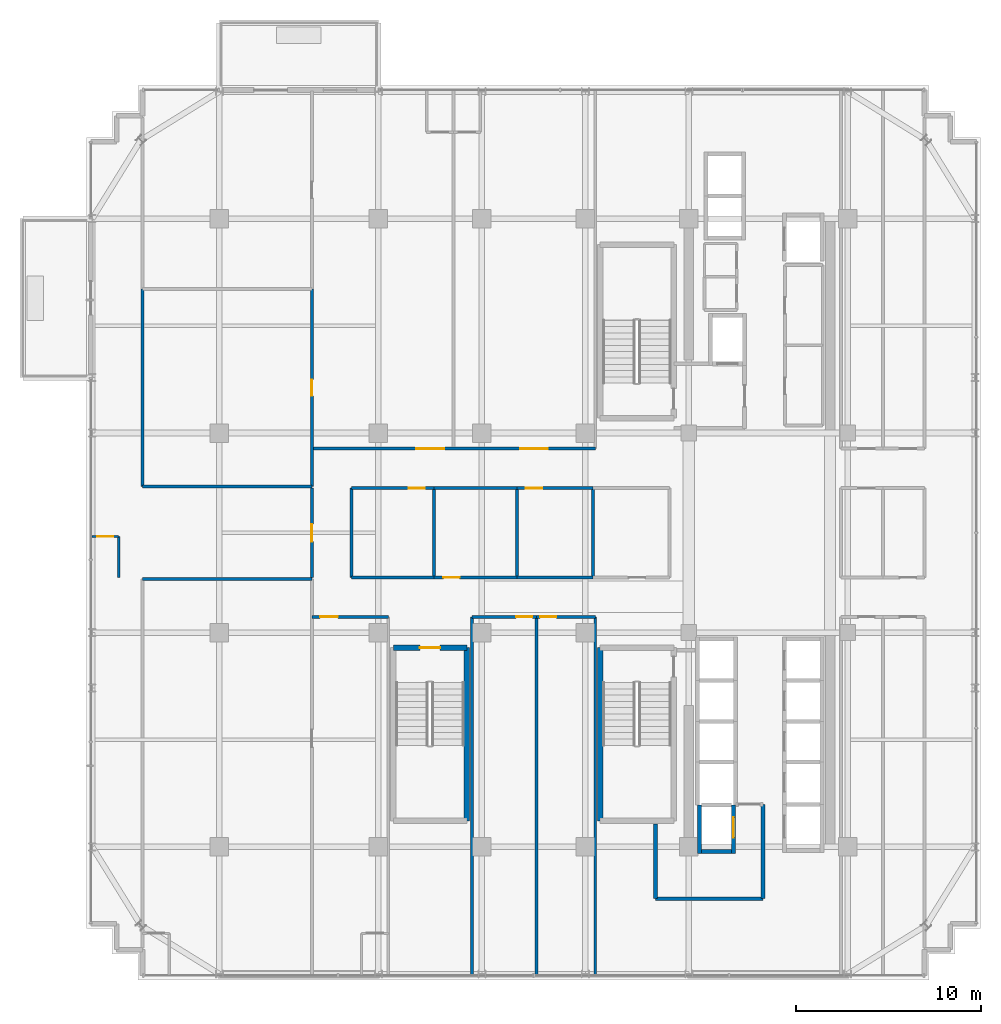
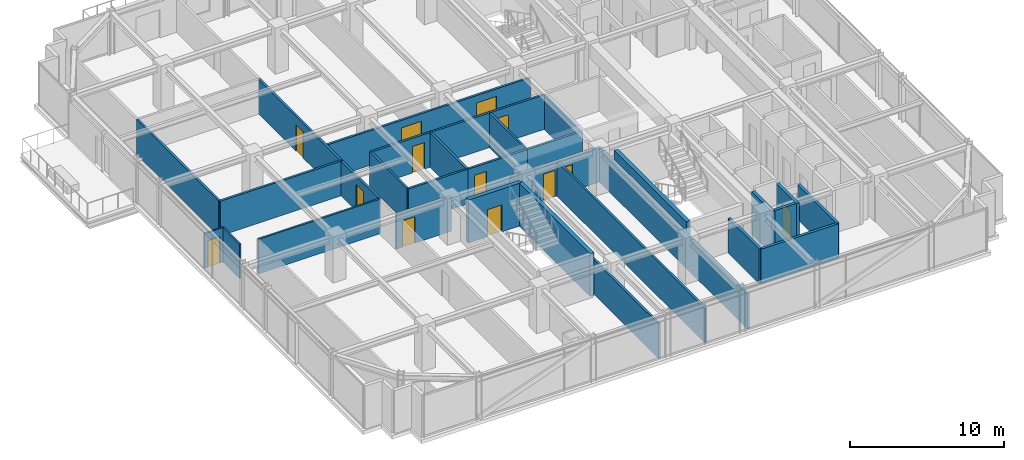
# One storey, part 29 of 36: 33 walls, 13 doors, 13 openings.
"""IFC4 building model written with IfcOpenShell, lengths in metres."""

import ifcopenshell
import ifcopenshell.guid

model = None  # the IFC model being written
_history = None  # IfcOwnerHistory: only IFC2X3 demands one
_inside = {}  # id of a spatial element -> (the spatial element, [elements in it])
_under = {}  # id of a project, library or spatial element -> (it, [spatial elements below it])
_declared = {}  # id of a project -> (the project, [libraries it declares])
_typed = {}  # id of a type object -> (the type object, [elements of that type])
_made_of = {}  # id of a material, layer set ... -> (it, [elements and type objects made of it])


def new_model(schema):
    """Start an empty IFC model of exactly this schema.

    Asked for "IFC4X3", IfcOpenShell would pick the latest addendum, in which some entities
    have other attributes; the version numbers below select the first issue.
    IFC2X3 requires an IfcOwnerHistory on every rooted entity: one is made here for all.
    """
    global model, _history
    if schema == "IFC4X3":
        model = ifcopenshell.file(schema_version=(4, 3, 0, 0))
    else:
        model = ifcopenshell.file(schema=schema)
    _inside.clear()
    _under.clear()
    _declared.clear()
    _typed.clear()
    _made_of.clear()
    _history = None
    if model.schema == "IFC2X3":
        org = make("IfcOrganization", Name="unknown")
        user = make(
            "IfcPersonAndOrganization",
            ThePerson=make("IfcPerson", FamilyName="unknown"),
            TheOrganization=org,
        )
        app = make(
            "IfcApplication",
            ApplicationDeveloper=org,
            Version="unknown",
            ApplicationFullName="unknown",
            ApplicationIdentifier="unknown",
        )
        _history = make(
            "IfcOwnerHistory",
            OwningUser=user,
            OwningApplication=app,
            ChangeAction="ADDED",
            CreationDate=0,
        )
    return model


def make(cls, **values):
    """One entity of the class cls with the attributes given. An attribute that is None is left unset."""
    return model.create_entity(
        cls, **{name: value for name, value in values.items() if value is not None}
    )


def rooted(cls, **values):
    """An entity with a GlobalId (a new one), such as an element, a storey or a relation."""
    return make(cls, GlobalId=ifcopenshell.guid.new(), OwnerHistory=_history, **values)


def si_unit(unit_type, name, prefix=None):
    """IfcSIUnit, for example si_unit("LENGTHUNIT", "METRE", prefix="MILLI")."""
    return make("IfcSIUnit", UnitType=unit_type, Prefix=prefix, Name=name)


def assignment(units):
    """IfcUnitAssignment: the units of a project."""
    return None if units is None else make("IfcUnitAssignment", Units=units)


def point(xyz):
    """IfcCartesianPoint."""
    return None if xyz is None else make("IfcCartesianPoint", Coordinates=xyz)


def direction(xyz):
    """IfcDirection."""
    return None if xyz is None else make("IfcDirection", DirectionRatios=xyz)


def frame(location, z_axis=None, x_axis=None):
    """IfcAxis2Placement3D, a coordinate frame: its origin and axes. An axis left out is left unset."""
    return make(
        "IfcAxis2Placement3D",
        Location=point(location),
        Axis=direction(z_axis),
        RefDirection=direction(x_axis),
    )


def frame_2d(location, x_axis=None):
    """IfcAxis2Placement2D, a coordinate frame in the plane: its origin and x axis."""
    return make(
        "IfcAxis2Placement2D", Location=point(location), RefDirection=direction(x_axis)
    )


def origin():
    """The frame at (0, 0, 0) with its axes left unset."""
    return frame((0.0, 0.0, 0.0))


def place(relative_to, where):
    """IfcLocalPlacement: puts the frame where relative to a parent placement (None: the world)."""
    return make(
        "IfcLocalPlacement", PlacementRelTo=relative_to, RelativePlacement=where
    )


def context(
    kind, dimensions, precision=None, world=None, true_north=None, identifier=None
):
    """IfcGeometricRepresentationContext, for example the 3D "Model" context."""
    return make(
        "IfcGeometricRepresentationContext",
        ContextIdentifier=identifier,
        ContextType=kind,
        CoordinateSpaceDimension=dimensions,
        Precision=precision,
        WorldCoordinateSystem=world,
        TrueNorth=true_north,
    )


def subcontext(parent, identifier, kind, view, scale=None):
    """IfcGeometricRepresentationSubContext, for example "Body" below "Model"."""
    return make(
        "IfcGeometricRepresentationSubContext",
        ContextIdentifier=identifier,
        ContextType=kind,
        ParentContext=parent,
        TargetScale=scale,
        TargetView=view,
    )


def project(units=None, contexts=None):
    """IfcProject with its units and contexts."""
    return rooted(
        "IfcProject",
        Name="project",
        RepresentationContexts=contexts,
        UnitsInContext=assignment(units),
    )


def spatial(cls, under=None, at=None, **own):
    """A site, building, storey or space (cls), placed at a placement, below another one or the project."""
    s = rooted(cls, ObjectPlacement=at, **own)
    if under is not None:
        _under.setdefault(under.id(), (under, []))[1].append(s)
    return s


def profile(cls, at=None, kind="AREA", **sizes):
    """A parametric profile (cls). Its sizes go by their IFC names, for example OverallWidth=200.0."""
    return make(cls, ProfileType=kind, Position=at, **sizes)


def rectangle(**sizes):
    """IfcRectangleProfileDef."""
    return profile("IfcRectangleProfileDef", **sizes)


def extrude(swept, where, along, depth):
    """IfcExtrudedAreaSolid: the profile swept, set in the frame where, extruded along a direction by depth."""
    return make(
        "IfcExtrudedAreaSolid",
        SweptArea=swept,
        Position=where,
        ExtrudedDirection=direction(along),
        Depth=depth,
    )


def shape(context_of_items, identifier, shape_type, items):
    """IfcShapeRepresentation: the items that make up one representation, for example the "Body"."""
    return make(
        "IfcShapeRepresentation",
        ContextOfItems=context_of_items,
        RepresentationIdentifier=identifier,
        RepresentationType=shape_type,
        Items=items,
    )


def source(mapping_origin, context_of_items, identifier, shape_type, items):
    """IfcRepresentationMap: a shape defined once, which mapped items show again and again."""
    return make(
        "IfcRepresentationMap",
        MappingOrigin=mapping_origin,
        MappedRepresentation=shape(context_of_items, identifier, shape_type, items),
    )


def transform(
    local_origin,
    x_axis=None,
    y_axis=None,
    z_axis=None,
    scale=None,
    scale2=None,
    scale3=None,
    uniform=True,
):
    """IfcCartesianTransformationOperator3D, or its non-uniform kind. x_axis, y_axis, z_axis: its Axis1, 2, 3."""
    if uniform:
        return make(
            "IfcCartesianTransformationOperator3D",
            Axis1=direction(x_axis),
            Axis2=direction(y_axis),
            LocalOrigin=point(local_origin),
            Scale=scale,
            Axis3=direction(z_axis),
        )
    return make(
        "IfcCartesianTransformationOperator3DnonUniform",
        Axis1=direction(x_axis),
        Axis2=direction(y_axis),
        LocalOrigin=point(local_origin),
        Scale=scale,
        Axis3=direction(z_axis),
        Scale2=scale2,
        Scale3=scale3,
    )


def mapped(mapping_source, mapping_target):
    """IfcMappedItem: shows the shape of a source again, moved by a transform."""
    return make(
        "IfcMappedItem", MappingSource=mapping_source, MappingTarget=mapping_target
    )


def material(Name=None, Category=None):
    """IfcMaterial."""
    return make("IfcMaterial", Name=Name, Category=Category)


def layer(
    of_material, thickness, ventilated=None, Name=None, Category=None, Priority=None
):
    """IfcMaterialLayer: one layer of a wall or slab, of a material (None: an air gap)."""
    return make(
        "IfcMaterialLayer",
        Material=of_material,
        LayerThickness=thickness,
        IsVentilated=ventilated,
        Name=Name,
        Category=Category,
        Priority=Priority,
    )


def layer_set(layers, Name=None):
    """IfcMaterialLayerSet."""
    return make("IfcMaterialLayerSet", MaterialLayers=layers, LayerSetName=Name)


def made_of(thing, what):
    """Note that an element or type object is made of a material, layer set ...; save() writes the relation."""
    if what is not None:
        _made_of.setdefault(what.id(), (what, []))[1].append(thing)
    return thing


def type_object(cls, material=None, **own):
    """A type object (cls), such as IfcWallType, which elements share."""
    return made_of(rooted(cls, **own), material)


def element(
    cls,
    number,
    at=None,
    inside=None,
    cuts=None,
    type_object=None,
    material=None,
    context=None,
    identifier="Body",
    shape_type=None,
    held_by="IfcProductDefinitionShape",
    body=None,
    shapes=None,
    **own,
):
    """One element of the class cls, such as IfcWall. Its Tag is "e" and its number.

    at: its placement. inside: the storey or other place that contains it. cuts: it is an
    opening in that element (IfcRelVoidsElement). A single representation is given by context,
    identifier, shape_type and body (its items); several are given by shapes. held_by: the class
    of the entity that holds the representations. save() writes the other relations.
    """
    e = rooted(cls, Tag="e%d" % number, ObjectPlacement=at, **own)
    if body is not None:
        shapes = [shape(context, identifier, shape_type, body)]
    if shapes is not None:
        e.Representation = make(held_by, Representations=shapes)
    if inside is not None:
        _inside.setdefault(inside.id(), (inside, []))[1].append(e)
    if cuts is not None:
        rooted(
            "IfcRelVoidsElement", RelatingBuildingElement=cuts, RelatedOpeningElement=e
        )
    if type_object is not None:
        _typed.setdefault(type_object.id(), (type_object, []))[1].append(e)
    return made_of(e, material)


def fill(opening, filler):
    """IfcRelFillsElement: the door or window that sits in an opening."""
    return rooted(
        "IfcRelFillsElement",
        RelatingOpeningElement=opening,
        RelatedBuildingElement=filler,
    )


def aggregate(whole, parts):
    """IfcRelAggregates: a whole, such as a stair, and the parts it consists of."""
    return rooted("IfcRelAggregates", RelatingObject=whole, RelatedObjects=parts)


def save(model, path):
    """Write the relations noted so far, then the file.

    IfcRelAggregates (storeys below a building ...), IfcRelContainedInSpatialStructure (elements
    in a storey), IfcRelDefinesByType, IfcRelAssociatesMaterial and IfcRelDeclares: one each for
    every whole, place, type object, material and project.
    """
    for whole, parts in _under.values():
        aggregate(whole, parts)
    for where, things in _inside.values():
        rooted(
            "IfcRelContainedInSpatialStructure",
            RelatedElements=things,
            RelatingStructure=where,
        )
    for kind, things in _typed.values():
        rooted("IfcRelDefinesByType", RelatedObjects=things, RelatingType=kind)
    for what, things in _made_of.values():
        rooted("IfcRelAssociatesMaterial", RelatedObjects=things, RelatingMaterial=what)
    for by, libraries in _declared.values():
        rooted("IfcRelDeclares", RelatingContext=by, RelatedDefinitions=libraries)
    model.write(path)


model = new_model("IFC4")

# Units and contexts
model_context = context("Model", 3, precision=1e-05, world=origin(), true_north=direction((0.0, 1.0)))
body_context = subcontext(model_context, "Body", "Model", "MODEL_VIEW")
ifc_project = project(units=[si_unit("LENGTHUNIT", "METRE"), si_unit("AREAUNIT", "SQUARE_METRE"), si_unit("VOLUMEUNIT", "CUBIC_METRE"), si_unit("PLANEANGLEUNIT", "RADIAN"), si_unit("MASSUNIT", "GRAM", prefix="KILO")], contexts=[model_context])

# Site, building, storey
site_placement = place(None, origin())
site = spatial("IfcSite", under=ifc_project, at=site_placement, CompositionType="ELEMENT")
building_placement = place(site_placement, origin())
building = spatial("IfcBuilding", under=site, at=building_placement, Name="Nahalor Promenade Grand Hotel", CompositionType="ELEMENT")
storey_placement = place(building_placement, frame((0.0, 0.0, 241.89990234375)))
storey = spatial("IfcBuildingStorey", under=building, at=storey_placement, Name="L62", CompositionType="ELEMENT", Elevation=241.89990234375)

# Wall, opening, door
ifc_material_1 = material(Name="Concrete B-50 (C40/50)", Category="concrete")
ifc_layer_1 = layer(ifc_material_1, 0.300048828125)
ifc_layer_set_1 = layer_set([ifc_layer_1], Name="Concrete B-50 (C40/50)")
wall_type_1 = type_object("IfcWallType", Name="Wall-ShaftShear-300", PredefinedType="SHEAR", material=ifc_layer_set_1)
shared_shape_1 = source(origin(), body_context, "Body", "SweptSolid", [
    extrude(rectangle(XDim=3.97998046875, YDim=0.300048828125, at=frame_2d((1.989990234375, 0.0))), origin(), (0.0, 0.0, 1.0), 3.41015625),
])
wall_1_placement = place(storey_placement, frame((-7.590087890625, -6.2099609375, 0.0), z_axis=(0.0, 0.0, 1.0), x_axis=(1.0, 0.0, 0.0)))
wall_1 = element("IfcWall", 1, at=wall_1_placement, inside=storey, type_object=wall_type_1, Name="L62 Exit Stair ST3 Shaft Wall N", PredefinedType="SHEAR", context=body_context, shape_type="MappedRepresentation", body=[
    mapped(shared_shape_1, transform((0.0, 0.0, 0.0), scale=1.0)),
])
opening_1_placement = place(wall_1_placement, frame((1.43994140625, 0.0, 0.0)))
opening_1 = element("IfcOpeningElement", 2, at=opening_1_placement, cuts=wall_1, Name="Opening D-ST1", PredefinedType="OPENING", context=body_context, shape_type="SweptSolid", body=[
    extrude(rectangle(XDim=1.10009765625, YDim=2.14990234375, at=frame_2d((0.550048828125, 1.074951171875))), frame((0.0, 0.159912109375, 0.0), z_axis=(0.0, -1.0, 0.0), x_axis=(1.0, 0.0, 0.0)), (0.0, 0.0, 1.0), 0.320068359375),
])
ifc_material_2 = material(Name="Steel S355JR", Category="steel")
door_type_1 = type_object("IfcDoorType", Name="Door-StairFire-1100", OperationType="NOTDEFINED", PredefinedType="DOOR", material=ifc_material_2)
shared_shape_2 = source(origin(), body_context, "Body", "SweptSolid", [
    extrude(rectangle(XDim=1.10009765625, YDim=2.14990234375, at=frame_2d((0.550048828125, 1.074951171875))), frame((0.0, 0.02490234375, 0.0), z_axis=(0.0, -1.0, 0.0), x_axis=(1.0, 0.0, 0.0)), (0.0, 0.0, 1.0), 0.050048828125),
])
door_1_placement = place(opening_1_placement, frame((1.10009765625, 0.0, 0.0), z_axis=(0.0, 0.0, 1.0), x_axis=(-1.0, 0.0, 0.0)))
door_1 = element("IfcDoor", 3, at=door_1_placement, inside=storey, type_object=door_type_1, Name="DR-STAIR-ST3-L62", OperationType="SINGLE_SWING_LEFT", OverallHeight=2.14990234375, OverallWidth=1.10009765625, PredefinedType="DOOR", context=body_context, shape_type="MappedRepresentation", body=[
    mapped(shared_shape_2, transform((0.0, 0.0, 0.0), scale=1.0)),
])
fill(opening_1, door_1)

# Walls
shared_shape_3 = source(origin(), body_context, "Body", "SweptSolid", [
    extrude(rectangle(XDim=9.380126953125, YDim=0.300048828125, at=frame_2d((4.68994140625, 0.0))), origin(), (0.0, 0.0, 1.0), 3.41015625),
])
for number, where, z_axis, x_axis, name in (
    (4, (3.610107421875, -15.590087890625, 0.0), (0.0, 0.0, 1.0), (0.0, 1.0, 0.0), "L62 Exit Stair ST2 Shaft Wall W"),
    (5, (-3.610107421875, -15.590087890625, 0.0), (0.0, 0.0, 1.0), (0.0, 1.0, 0.0), "L62 Exit Stair ST3 Shaft Wall E"),
):
    element("IfcWall", number, at=place(storey_placement, frame(where, z_axis=z_axis, x_axis=x_axis)), inside=storey, type_object=wall_type_1, Name=name, PredefinedType="SHEAR", context=body_context, shape_type="MappedRepresentation", body=[
        mapped(shared_shape_3, transform((0.0, 0.0, 0.0), scale=1.0)),
    ])
ifc_layer_2 = layer(ifc_material_1, 0.219970703125)
ifc_layer_set_2 = layer_set([ifc_layer_2], Name="Concrete B-50 (C40/50)")
wall_type_2 = type_object("IfcWallType", Name="Wall-LiftShaft-220", PredefinedType="SHEAR", material=ifc_layer_set_2)
shared_shape_4 = source(origin(), body_context, "Body", "SweptSolid", [
    extrude(rectangle(XDim=2.635009765625, YDim=0.219970703125, at=frame_2d((1.3173828125, 0.0))), origin(), (0.0, 0.0, 1.0), 3.41015625),
])
wall_2_placement = place(storey_placement, frame((8.97998046875, -17.360107421875, 0.0), z_axis=(0.0, 0.0, 1.0), x_axis=(0.0, 1.0, 0.0)))
element("IfcWall", 6, at=wall_2_placement, inside=storey, type_object=wall_type_2, Name="L62 Lift FL2 Hoistway Wall W", PredefinedType="SHEAR", context=body_context, shape_type="MappedRepresentation", body=[
    mapped(shared_shape_4, transform((0.0, 0.0, 0.0), scale=1.0)),
])

# Wall, opening, door
wall_3_placement = place(storey_placement, frame((10.820068359375, -17.360107421875, 0.0), z_axis=(0.0, 0.0, 1.0), x_axis=(0.0, 1.0, 0.0)))
wall_3 = element("IfcWall", 7, at=wall_3_placement, inside=storey, type_object=wall_type_2, Name="L62 Lift FL2 Hoistway Wall E", PredefinedType="SHEAR", context=body_context, shape_type="MappedRepresentation", body=[
    mapped(shared_shape_4, transform((0.0, 0.0, 0.0), scale=1.0)),
])
opening_2_placement = place(wall_3_placement, frame((0.860107421875, 0.0, 0.0)))
opening_2 = element("IfcOpeningElement", 8, at=opening_2_placement, cuts=wall_3, Name="Opening LD-02", PredefinedType="OPENING", context=body_context, shape_type="SweptSolid", body=[
    extrude(rectangle(XDim=1.10009765625, YDim=2.199951171875, at=frame_2d((0.550048828125, 1.10009765625))), frame((0.0, 0.119873046875, 0.0), z_axis=(0.0, -1.0, 0.0), x_axis=(1.0, 0.0, 0.0)), (0.0, 0.0, 1.0), 0.239990234375),
])
door_type_2 = type_object("IfcDoorType", Name="Door-LiftFF-1100", OperationType="DOUBLE_DOOR_SLIDING", PredefinedType="DOOR", material=ifc_material_2)
shared_shape_5 = source(origin(), body_context, "Body", "SweptSolid", [
    extrude(rectangle(XDim=1.10009765625, YDim=2.199951171875, at=frame_2d((0.550048828125, 1.10009765625))), frame((0.0, 0.02490234375, 0.0), z_axis=(0.0, -1.0, 0.0), x_axis=(1.0, 0.0, 0.0)), (0.0, 0.0, 1.0), 0.050048828125),
])
door_2_placement = place(opening_2_placement, frame((1.10009765625, 0.0, 0.0), z_axis=(0.0, 0.0, 1.0), x_axis=(-1.0, 0.0, 0.0)))
door_2 = element("IfcDoor", 9, at=door_2_placement, inside=storey, type_object=door_type_2, Name="DR-LIFT-FL2-L62", OperationType="DOUBLE_DOOR_SLIDING", OverallHeight=2.199951171875, OverallWidth=1.10009765625, PredefinedType="DOOR", context=body_context, shape_type="MappedRepresentation", body=[
    mapped(shared_shape_5, transform((0.0, 0.0, 0.0), scale=1.0)),
])
fill(opening_2, door_2)

# Walls
shared_shape_6 = source(origin(), body_context, "Body", "SweptSolid", [
    extrude(rectangle(XDim=1.619873046875, YDim=0.219970703125, at=frame_2d((0.81005859375, 0.0))), origin(), (0.0, 0.0, 1.0), 3.41015625),
])
wall_4_placement = place(storey_placement, frame((9.090087890625, -17.25, 0.0), z_axis=(0.0, 0.0, 1.0), x_axis=(1.0, 0.0, 0.0)))
element("IfcWall", 10, at=wall_4_placement, inside=storey, type_object=wall_type_2, Name="L62 Lift FL2 Hoistway Wall S", PredefinedType="SHEAR", context=body_context, shape_type="MappedRepresentation", body=[
    mapped(shared_shape_6, transform((0.0, 0.0, 0.0), scale=1.0)),
])
ifc_material_3 = material(Name="Concrete B-40 (C32/40)", Category="concrete")
ifc_layer_3 = layer(ifc_material_3, 0.199951171875)
ifc_layer_set_3 = layer_set([ifc_layer_3], Name="Concrete B-40 (C32/40)")
wall_type_3 = type_object("IfcWallType", Name="Wall-PartFire-200", PredefinedType="PARTITIONING", material=ifc_layer_set_3)
shared_shape_7 = source(origin(), body_context, "Body", "SweptSolid", [
    extrude(rectangle(XDim=5.81982421875, YDim=0.199951171875, at=frame_2d((2.909912109375, 0.0))), origin(), (0.0, 0.0, 1.0), 2.75),
])
wall_5_placement = place(storey_placement, frame((6.60009765625, -19.800048828125, 0.0), z_axis=(0.0, 0.0, 1.0), x_axis=(1.0, 0.0, 0.0)))
element("IfcWall", 11, at=wall_5_placement, inside=storey, type_object=wall_type_3, Name="W-L62-FF2-S1", PredefinedType="PARTITIONING", context=body_context, shape_type="MappedRepresentation", body=[
    mapped(shared_shape_7, transform((0.0, 0.0, 0.0), scale=1.0)),
])
shared_shape_8 = source(origin(), body_context, "Body", "SweptSolid", [
    extrude(rectangle(XDim=4.030029296875, YDim=0.199951171875, at=frame_2d((2.01513671875, 0.0))), origin(), (0.0, 0.0, 1.0), 2.75),
])
wall_6_placement = place(storey_placement, frame((6.60009765625, -19.800048828125, 0.0), z_axis=(0.0, 0.0, 1.0), x_axis=(0.0, 1.0, 0.0)))
element("IfcWall", 12, at=wall_6_placement, inside=storey, type_object=wall_type_3, Name="W-L62-FF2-W1", PredefinedType="PARTITIONING", context=body_context, shape_type="MappedRepresentation", body=[
    mapped(shared_shape_8, transform((0.0, 0.0, 0.0), scale=1.0)),
])
shared_shape_9 = source(origin(), body_context, "Body", "SweptSolid", [
    extrude(rectangle(XDim=5.10009765625, YDim=0.199951171875, at=frame_2d((2.550048828125, 0.0))), origin(), (0.0, 0.0, 1.0), 2.75),
])
wall_7_placement = place(storey_placement, frame((12.419921875, -19.800048828125, 0.0), z_axis=(0.0, 0.0, 1.0), x_axis=(0.0, 1.0, 0.0)))
element("IfcWall", 13, at=wall_7_placement, inside=storey, type_object=wall_type_3, Name="W-L62-FF2-E", PredefinedType="PARTITIONING", context=body_context, shape_type="MappedRepresentation", body=[
    mapped(shared_shape_9, transform((0.0, 0.0, 0.0), scale=1.0)),
])
ifc_material_4 = material(Name="Acoustic Mineral Gypsum", Category="gypsum")
ifc_layer_4 = layer(ifc_material_4, 0.159912109375)
ifc_layer_set_4 = layer_set([ifc_layer_4], Name="Acoustic Mineral Gypsum")
wall_type_4 = type_object("IfcWallType", Name="Wall-PartCorridor-160", PredefinedType="PARTITIONING", material=ifc_layer_set_4)
shared_shape_10 = source(origin(), body_context, "Body", "SweptSolid", [
    extrude(rectangle(XDim=19.349853515625, YDim=0.159912109375, at=frame_2d((9.6748046875, 0.0))), origin(), (0.0, 0.0, 1.0), 2.75),
])
for number, where, z_axis, x_axis, name in (
    (14, (-3.340087890625, -23.89990234375, 0.0), (0.0, 0.0, 1.0), (0.0, 1.0, 0.0), "W-L62-SCB1-W"),
    (15, (0.14990234375, -23.89990234375, 0.0), (0.0, 0.0, 1.0), (0.0, 1.0, 0.0), "W-L62-SCB1-E"),
    (16, (3.340087890625, -23.89990234375, 0.0), (0.0, 0.0, 1.0), (0.0, 1.0, 0.0), "W-L62-SCB2-E"),
):
    element("IfcWall", number, at=place(storey_placement, frame(where, z_axis=z_axis, x_axis=x_axis)), inside=storey, type_object=wall_type_4, Name=name, PredefinedType="PARTITIONING", context=body_context, shape_type="MappedRepresentation", body=[
        mapped(shared_shape_10, transform((0.0, 0.0, 0.0), scale=1.0)),
    ])

# Wall, opening, door
ifc_layer_5 = layer(ifc_material_4, 0.1201171875)
ifc_layer_set_5 = layer_set([ifc_layer_5], Name="Acoustic Mineral Gypsum")
wall_type_5 = type_object("IfcWallType", Name="Wall-PartBath-120", PredefinedType="PARTITIONING", material=ifc_layer_set_5)
shared_shape_11 = source(origin(), body_context, "Body", "SweptSolid", [
    extrude(rectangle(XDim=1.449951171875, YDim=0.1201171875, at=frame_2d((0.72509765625, 0.0))), origin(), (0.0, 0.0, 1.0), 2.75),
])
wall_8_placement = place(storey_placement, frame((-23.89990234375, -0.199951171875, 0.0), z_axis=(0.0, 0.0, 1.0), x_axis=(1.0, 0.0, 0.0)))
wall_8 = element("IfcWall", 17, at=wall_8_placement, inside=storey, type_object=wall_type_5, Name="W-L62-W1-BH", PredefinedType="PARTITIONING", context=body_context, shape_type="MappedRepresentation", body=[
    mapped(shared_shape_11, transform((0.0, 0.0, 0.0), scale=1.0)),
])
opening_3_placement = place(wall_8_placement, frame((0.284912109375, 0.0, 0.0)))
opening_3 = element("IfcOpeningElement", 18, at=opening_3_placement, cuts=wall_8, Name="Opening D-03", PredefinedType="OPENING", context=body_context, shape_type="SweptSolid", body=[
    extrude(rectangle(XDim=0.8798828125, YDim=2.10009765625, at=frame_2d((0.43994140625, 1.050048828125))), frame((0.0, 0.070068359375, 0.0), z_axis=(0.0, -1.0, 0.0), x_axis=(1.0, 0.0, 0.0)), (0.0, 0.0, 1.0), 0.14013671875),
])
ifc_material_5 = material(Name="Fire-Rated Timber Composite", Category="wood")
door_type_3 = type_object("IfcDoorType", Name="Door-BathSwing-880", OperationType="NOTDEFINED", PredefinedType="DOOR", material=ifc_material_5)
shared_shape_12 = source(origin(), body_context, "Body", "SweptSolid", [
    extrude(rectangle(XDim=0.8798828125, YDim=2.10009765625, at=frame_2d((0.43994140625, 1.050048828125))), frame((0.0, 0.02490234375, 0.0), z_axis=(0.0, -1.0, 0.0), x_axis=(1.0, 0.0, 0.0)), (0.0, 0.0, 1.0), 0.050048828125),
])
door_3_placement = place(opening_3_placement, frame((0.8798828125, 0.0, 0.0), z_axis=(0.0, 0.0, 1.0), x_axis=(-1.0, 0.0, 0.0)))
door_3 = element("IfcDoor", 19, at=door_3_placement, inside=storey, type_object=door_type_3, Name="DR-L62-W1-BATH", OperationType="SINGLE_SWING_LEFT", OverallHeight=2.10009765625, OverallWidth=0.8798828125, PredefinedType="DOOR", context=body_context, shape_type="MappedRepresentation", body=[
    mapped(shared_shape_12, transform((0.0, 0.0, 0.0), scale=1.0)),
])
fill(opening_3, door_3)

# Wall
shared_shape_13 = source(origin(), body_context, "Body", "SweptSolid", [
    extrude(rectangle(XDim=2.219970703125, YDim=0.1201171875, at=frame_2d((1.10986328125, 0.0))), origin(), (0.0, 0.0, 1.0), 2.75),
])
wall_9_placement = place(storey_placement, frame((-22.449951171875, -2.419921875, 0.0), z_axis=(0.0, 0.0, 1.0), x_axis=(0.0, 1.0, 0.0)))
element("IfcWall", 20, at=wall_9_placement, inside=storey, type_object=wall_type_5, Name="W-L62-W1-BV", PredefinedType="PARTITIONING", context=body_context, shape_type="MappedRepresentation", body=[
    mapped(shared_shape_13, transform((0.0, 0.0, 0.0), scale=1.0)),
])

# Wall, opening, door
shared_shape_14 = source(origin(), body_context, "Body", "SweptSolid", [
    extrude(rectangle(XDim=3.489990234375, YDim=0.159912109375, at=frame_2d((1.7451171875, 0.0))), origin(), (0.0, 0.0, 1.0), 2.75),
])
wall_10_placement = place(storey_placement, frame((-3.340087890625, -4.550048828125, 0.0), z_axis=(0.0, 0.0, 1.0), x_axis=(1.0, 0.0, 0.0)))
wall_10 = element("IfcWall", 21, at=wall_10_placement, inside=storey, type_object=wall_type_4, Name="W-L62-SCB1-N", PredefinedType="PARTITIONING", context=body_context, shape_type="MappedRepresentation", body=[
    mapped(shared_shape_14, transform((0.0, 0.0, 0.0), scale=1.0)),
])
opening_4_placement = place(wall_10_placement, frame((2.39990234375, 0.0, 0.0)))
opening_4 = element("IfcOpeningElement", 22, at=opening_4_placement, cuts=wall_10, Name="Opening D-03", PredefinedType="OPENING", context=body_context, shape_type="SweptSolid", body=[
    extrude(rectangle(XDim=0.8798828125, YDim=2.10009765625, at=frame_2d((0.43994140625, 1.050048828125))), frame((0.0, 0.08984375, 0.0), z_axis=(0.0, -1.0, 0.0), x_axis=(1.0, 0.0, 0.0)), (0.0, 0.0, 1.0), 0.179931640625),
])
door_4_placement = place(opening_4_placement, frame((0.8798828125, 0.0, 0.0), z_axis=(0.0, 0.0, 1.0), x_axis=(-1.0, 0.0, 0.0)))
door_4 = element("IfcDoor", 23, at=door_4_placement, inside=storey, type_object=door_type_3, Name="DR-L62-SCB1", OperationType="SINGLE_SWING_LEFT", OverallHeight=2.10009765625, OverallWidth=0.8798828125, PredefinedType="DOOR", context=body_context, shape_type="MappedRepresentation", body=[
    mapped(shared_shape_12, transform((0.0, 0.0, 0.0), scale=1.0)),
])
fill(opening_4, door_4)

shared_shape_15 = source(origin(), body_context, "Body", "SweptSolid", [
    extrude(rectangle(XDim=3.190185546875, YDim=0.159912109375, at=frame_2d((1.59521484375, 0.0))), origin(), (0.0, 0.0, 1.0), 2.75),
])
wall_11_placement = place(storey_placement, frame((0.14990234375, -4.550048828125, 0.0), z_axis=(0.0, 0.0, 1.0), x_axis=(1.0, 0.0, 0.0)))
wall_11 = element("IfcWall", 24, at=wall_11_placement, inside=storey, type_object=wall_type_4, Name="W-L62-SCB2-N", PredefinedType="PARTITIONING", context=body_context, shape_type="MappedRepresentation", body=[
    mapped(shared_shape_15, transform((0.0, 0.0, 0.0), scale=1.0)),
])
opening_5_placement = place(wall_11_placement, frame((0.2099609375, 0.0, 0.0)))
opening_5 = element("IfcOpeningElement", 25, at=opening_5_placement, cuts=wall_11, Name="Opening D-03", PredefinedType="OPENING", context=body_context, shape_type="SweptSolid", body=[
    extrude(rectangle(XDim=0.8798828125, YDim=2.10009765625, at=frame_2d((0.43994140625, 1.050048828125))), frame((0.0, 0.08984375, 0.0), z_axis=(0.0, -1.0, 0.0), x_axis=(1.0, 0.0, 0.0)), (0.0, 0.0, 1.0), 0.179931640625),
])
door_5_placement = place(opening_5_placement, frame((0.8798828125, 0.0, 0.0), z_axis=(0.0, 0.0, 1.0), x_axis=(-1.0, 0.0, 0.0)))
door_5 = element("IfcDoor", 26, at=door_5_placement, inside=storey, type_object=door_type_3, Name="DR-L62-SCB2", OperationType="SINGLE_SWING_RIGHT", OverallHeight=2.10009765625, OverallWidth=0.8798828125, PredefinedType="DOOR", context=body_context, shape_type="MappedRepresentation", body=[
    mapped(shared_shape_12, transform((0.0, 0.0, 0.0), scale=1.0)),
])
fill(opening_5, door_5)

shared_shape_16 = source(origin(), body_context, "Body", "SweptSolid", [
    extrude(rectangle(XDim=4.83984375, YDim=0.159912109375, at=frame_2d((2.419921875, 0.0))), origin(), (0.0, 0.0, 1.0), 2.75),
])
wall_12_placement = place(storey_placement, frame((-12.0, -2.419921875, 0.0), z_axis=(0.0, 0.0, 1.0), x_axis=(0.0, 1.0, 0.0)))
wall_12 = element("IfcWall", 27, at=wall_12_placement, inside=storey, type_object=wall_type_4, Name="W-L62-WEST-E", PredefinedType="PARTITIONING", context=body_context, shape_type="MappedRepresentation", body=[
    mapped(shared_shape_16, transform((0.0, 0.0, 0.0), scale=1.0)),
])
opening_6_placement = place(wall_12_placement, frame((1.945068359375, 0.0, 0.0)))
opening_6 = element("IfcOpeningElement", 28, at=opening_6_placement, cuts=wall_12, Name="Opening D-01", PredefinedType="OPENING", context=body_context, shape_type="SweptSolid", body=[
    extrude(rectangle(XDim=0.949951171875, YDim=2.10009765625, at=frame_2d((0.47509765625, 1.050048828125))), frame((0.0, 0.08984375, 0.0), z_axis=(0.0, -1.0, 0.0), x_axis=(1.0, 0.0, 0.0)), (0.0, 0.0, 1.0), 0.179931640625),
])
door_type_4 = type_object("IfcDoorType", Name="Door-GuestEntry-950", OperationType="NOTDEFINED", PredefinedType="DOOR", material=ifc_material_5)
shared_shape_17 = source(origin(), body_context, "Body", "SweptSolid", [
    extrude(rectangle(XDim=0.949951171875, YDim=2.10009765625, at=frame_2d((0.47509765625, 1.050048828125))), frame((0.0, 0.02490234375, 0.0), z_axis=(0.0, -1.0, 0.0), x_axis=(1.0, 0.0, 0.0)), (0.0, 0.0, 1.0), 0.050048828125),
])
door_6_placement = place(opening_6_placement, origin())
door_6 = element("IfcDoor", 29, at=door_6_placement, inside=storey, type_object=door_type_4, Name="DR-L62-W1-ENT", OperationType="SINGLE_SWING_RIGHT", OverallHeight=2.10009765625, OverallWidth=0.949951171875, PredefinedType="DOOR", context=body_context, shape_type="MappedRepresentation", body=[
    mapped(shared_shape_17, transform((0.0, 0.0, 0.0), scale=1.0)),
])
fill(opening_6, door_6)

# Walls
for number, where, z_axis, x_axis, name in (
    (30, (-9.85009765625, -2.419921875, 0.0), (0.0, 0.0, 1.0), (0.0, 1.0, 0.0), "W-L62-CM1-W"),
    (31, (-5.3779296875, -2.419921875, 0.0), (0.0, 0.0, 1.0), (0.0, 1.0, 0.0), "W-L62-CM1-E"),
    (32, (-0.906005859375, -2.419921875, 0.0), (0.0, 0.0, 1.0), (0.0, 1.0, 0.0), "W-L62-CM2-E"),
    (33, (3.221923828125, -2.419921875, 0.0), (0.0, 0.0, 1.0), (0.0, 1.0, 0.0), "W-L62-CM3-E"),
):
    element("IfcWall", number, at=place(storey_placement, frame(where, z_axis=z_axis, x_axis=x_axis)), inside=storey, type_object=wall_type_4, Name=name, PredefinedType="PARTITIONING", context=body_context, shape_type="MappedRepresentation", body=[
        mapped(shared_shape_16, transform((0.0, 0.0, 0.0), scale=1.0)),
    ])
ifc_layer_6 = layer(ifc_material_4, 0.139892578125)
ifc_layer_set_6 = layer_set([ifc_layer_6], Name="Acoustic Mineral Gypsum")
wall_type_6 = type_object("IfcWallType", Name="Wall-PartSuite-140", PredefinedType="PARTITIONING", material=ifc_layer_set_6)
shared_shape_18 = source(origin(), body_context, "Body", "SweptSolid", [
    extrude(rectangle(XDim=9.159912109375, YDim=0.139892578125, at=frame_2d((4.580078125, 0.0))), origin(), (0.0, 0.0, 1.0), 2.75),
])
wall_13_placement = place(storey_placement, frame((-21.159912109375, -2.5, 0.0), z_axis=(0.0, 0.0, 1.0), x_axis=(1.0, 0.0, 0.0)))
element("IfcWall", 34, at=wall_13_placement, inside=storey, type_object=wall_type_6, Name="W-L62-ZSW-N", PredefinedType="PARTITIONING", context=body_context, shape_type="MappedRepresentation", body=[
    mapped(shared_shape_18, transform((0.0, 0.0, 0.0), scale=1.0)),
])

# Wall, openings, doors
shared_shape_19 = source(origin(), body_context, "Body", "SweptSolid", [
    extrude(rectangle(XDim=15.340087890625, YDim=0.159912109375, at=frame_2d((7.669921875, 0.0))), origin(), (0.0, 0.0, 1.0), 2.75),
])
wall_14_placement = place(storey_placement, frame((-12.0, 4.550048828125, 0.0), z_axis=(0.0, 0.0, 1.0), x_axis=(1.0, 0.0, 0.0)))
wall_14 = element("IfcWall", 35, at=wall_14_placement, inside=storey, type_object=wall_type_4, Name="W-L62-CORR-N", PredefinedType="PARTITIONING", context=body_context, shape_type="MappedRepresentation", body=[
    mapped(shared_shape_19, transform((0.0, 0.0, 0.0), scale=1.0)),
])
opening_7_placement = place(wall_14_placement, frame((5.655029296875, 0.0, 0.0)))
opening_7 = element("IfcOpeningElement", 36, at=opening_7_placement, cuts=wall_14, Name="Opening D-02", PredefinedType="OPENING", context=body_context, shape_type="SweptSolid", body=[
    extrude(rectangle(XDim=1.5, YDim=2.14990234375, at=frame_2d((0.75, 1.074951171875))), frame((0.0, 0.08984375, 0.0), z_axis=(0.0, -1.0, 0.0), x_axis=(1.0, 0.0, 0.0)), (0.0, 0.0, 1.0), 0.179931640625),
])
opening_8_placement = place(wall_14_placement, frame((11.26904296875, 0.0, 0.0)))
opening_8 = element("IfcOpeningElement", 37, at=opening_8_placement, cuts=wall_14, Name="Opening D-02", PredefinedType="OPENING", context=body_context, shape_type="SweptSolid", body=[
    extrude(rectangle(XDim=1.5, YDim=2.14990234375, at=frame_2d((0.75, 1.074951171875))), frame((0.0, 0.08984375, 0.0), z_axis=(0.0, -1.0, 0.0), x_axis=(1.0, 0.0, 0.0)), (0.0, 0.0, 1.0), 0.179931640625),
])
door_type_5 = type_object("IfcDoorType", Name="Door-SuiteDouble-1500", OperationType="DOUBLE_DOOR_SINGLE_SWING", PredefinedType="DOOR", material=ifc_material_5)
shared_shape_20 = source(origin(), body_context, "Body", "SweptSolid", [
    extrude(rectangle(XDim=1.5, YDim=2.14990234375, at=frame_2d((0.75, 1.074951171875))), frame((0.0, 0.02490234375, 0.0), z_axis=(0.0, -1.0, 0.0), x_axis=(1.0, 0.0, 0.0)), (0.0, 0.0, 1.0), 0.050048828125),
])
door_7_placement = place(opening_7_placement, origin())
door_7 = element("IfcDoor", 38, at=door_7_placement, inside=storey, type_object=door_type_5, Name="DR-L62-N1-ENT", OperationType="DOUBLE_DOOR_SINGLE_SWING", OverallHeight=2.14990234375, OverallWidth=1.5, PredefinedType="DOOR", context=body_context, shape_type="MappedRepresentation", body=[
    mapped(shared_shape_20, transform((0.0, 0.0, 0.0), scale=1.0)),
])
fill(opening_7, door_7)
door_8_placement = place(opening_8_placement, origin())
door_8 = element("IfcDoor", 39, at=door_8_placement, inside=storey, type_object=door_type_5, Name="DR-L62-N2-ENT", OperationType="DOUBLE_DOOR_SINGLE_SWING", OverallHeight=2.14990234375, OverallWidth=1.5, PredefinedType="DOOR", context=body_context, shape_type="MappedRepresentation", body=[
    mapped(shared_shape_20, transform((0.0, 0.0, 0.0), scale=1.0)),
])
fill(opening_8, door_8)

# Wall, opening, door
shared_shape_21 = source(origin(), body_context, "Body", "SweptSolid", [
    extrude(rectangle(XDim=4.139892578125, YDim=0.159912109375, at=frame_2d((2.06982421875, 0.0))), origin(), (0.0, 0.0, 1.0), 2.75),
])
wall_15_placement = place(storey_placement, frame((-12.0, -4.550048828125, 0.0), z_axis=(0.0, 0.0, 1.0), x_axis=(1.0, 0.0, 0.0)))
wall_15 = element("IfcWall", 40, at=wall_15_placement, inside=storey, type_object=wall_type_4, Name="W-L62-CORR-S", PredefinedType="PARTITIONING", context=body_context, shape_type="MappedRepresentation", body=[
    mapped(shared_shape_21, transform((0.0, 0.0, 0.0), scale=1.0)),
])
opening_9_placement = place(wall_15_placement, frame((0.45703125, 0.0, 0.0)))
opening_9 = element("IfcOpeningElement", 41, at=opening_9_placement, cuts=wall_15, Name="Opening D-01", PredefinedType="OPENING", context=body_context, shape_type="SweptSolid", body=[
    extrude(rectangle(XDim=0.949951171875, YDim=2.10009765625, at=frame_2d((0.47509765625, 1.050048828125))), frame((0.0, 0.08984375, 0.0), z_axis=(0.0, -1.0, 0.0), x_axis=(1.0, 0.0, 0.0)), (0.0, 0.0, 1.0), 0.179931640625),
])
door_9_placement = place(opening_9_placement, frame((0.949951171875, 0.0, 0.0), z_axis=(0.0, 0.0, 1.0), x_axis=(-1.0, 0.0, 0.0)))
door_9 = element("IfcDoor", 42, at=door_9_placement, inside=storey, type_object=door_type_4, Name="DR-L62-S1-ENT", OperationType="SINGLE_SWING_RIGHT", OverallHeight=2.10009765625, OverallWidth=0.949951171875, PredefinedType="DOOR", context=body_context, shape_type="MappedRepresentation", body=[
    mapped(shared_shape_17, transform((0.0, 0.0, 0.0), scale=1.0)),
])
fill(opening_9, door_9)

# Wall
shared_shape_22 = source(origin(), body_context, "Body", "SweptSolid", [
    extrude(rectangle(XDim=4.47216796875, YDim=0.159912109375, at=frame_2d((2.236083984375, 0.0))), origin(), (0.0, 0.0, 1.0), 2.75),
])
wall_16_placement = place(storey_placement, frame((-9.85009765625, -2.419921875, 0.0), z_axis=(0.0, 0.0, 1.0), x_axis=(1.0, 0.0, 0.0)))
element("IfcWall", 43, at=wall_16_placement, inside=storey, type_object=wall_type_4, Name="W-L62-CM1-S", PredefinedType="PARTITIONING", context=body_context, shape_type="MappedRepresentation", body=[
    mapped(shared_shape_22, transform((0.0, 0.0, 0.0), scale=1.0)),
])

# Wall, opening, door
wall_17_placement = place(storey_placement, frame((-9.85009765625, 2.419921875, 0.0), z_axis=(0.0, 0.0, 1.0), x_axis=(1.0, 0.0, 0.0)))
wall_17 = element("IfcWall", 44, at=wall_17_placement, inside=storey, type_object=wall_type_4, Name="W-L62-CM1-N", PredefinedType="PARTITIONING", context=body_context, shape_type="MappedRepresentation", body=[
    mapped(shared_shape_22, transform((0.0, 0.0, 0.0), scale=1.0)),
])
opening_10_placement = place(wall_17_placement, frame((3.093017578125, 0.0, 0.0)))
opening_10 = element("IfcOpeningElement", 45, at=opening_10_placement, cuts=wall_17, Name="Opening D-03", PredefinedType="OPENING", context=body_context, shape_type="SweptSolid", body=[
    extrude(rectangle(XDim=0.8798828125, YDim=2.10009765625, at=frame_2d((0.43994140625, 1.050048828125))), frame((0.0, 0.08984375, 0.0), z_axis=(0.0, -1.0, 0.0), x_axis=(1.0, 0.0, 0.0)), (0.0, 0.0, 1.0), 0.179931640625),
])
door_10_placement = place(opening_10_placement, frame((0.8798828125, 0.0, 0.0), z_axis=(0.0, 0.0, 1.0), x_axis=(-1.0, 0.0, 0.0)))
door_10 = element("IfcDoor", 46, at=door_10_placement, inside=storey, type_object=door_type_3, Name="DR-L62-CM1", OperationType="SINGLE_SWING_LEFT", OverallHeight=2.10009765625, OverallWidth=0.8798828125, PredefinedType="DOOR", context=body_context, shape_type="MappedRepresentation", body=[
    mapped(shared_shape_12, transform((0.0, 0.0, 0.0), scale=1.0)),
])
fill(opening_10, door_10)

shared_shape_23 = source(origin(), body_context, "Body", "SweptSolid", [
    extrude(rectangle(XDim=4.471923828125, YDim=0.159912109375, at=frame_2d((2.23583984375, 0.0))), origin(), (0.0, 0.0, 1.0), 2.75),
])
wall_18_placement = place(storey_placement, frame((-5.3779296875, -2.419921875, 0.0), z_axis=(0.0, 0.0, 1.0), x_axis=(1.0, 0.0, 0.0)))
wall_18 = element("IfcWall", 47, at=wall_18_placement, inside=storey, type_object=wall_type_4, Name="W-L62-CM2-S", PredefinedType="PARTITIONING", context=body_context, shape_type="MappedRepresentation", body=[
    mapped(shared_shape_23, transform((0.0, 0.0, 0.0), scale=1.0)),
])
opening_11_placement = place(wall_18_placement, frame((0.4990234375, 0.0, 0.0)))
opening_11 = element("IfcOpeningElement", 48, at=opening_11_placement, cuts=wall_18, Name="Opening D-03", PredefinedType="OPENING", context=body_context, shape_type="SweptSolid", body=[
    extrude(rectangle(XDim=0.8798828125, YDim=2.10009765625, at=frame_2d((0.43994140625, 1.050048828125))), frame((0.0, 0.08984375, 0.0), z_axis=(0.0, -1.0, 0.0), x_axis=(1.0, 0.0, 0.0)), (0.0, 0.0, 1.0), 0.179931640625),
])
door_11_placement = place(opening_11_placement, origin())
door_11 = element("IfcDoor", 49, at=door_11_placement, inside=storey, type_object=door_type_3, Name="DR-L62-CM2", OperationType="SINGLE_SWING_RIGHT", OverallHeight=2.10009765625, OverallWidth=0.8798828125, PredefinedType="DOOR", context=body_context, shape_type="MappedRepresentation", body=[
    mapped(shared_shape_12, transform((0.0, 0.0, 0.0), scale=1.0)),
])
fill(opening_11, door_11)

# Walls
wall_19_placement = place(storey_placement, frame((-5.3779296875, 2.419921875, 0.0), z_axis=(0.0, 0.0, 1.0), x_axis=(1.0, 0.0, 0.0)))
element("IfcWall", 50, at=wall_19_placement, inside=storey, type_object=wall_type_4, Name="W-L62-CM2-N", PredefinedType="PARTITIONING", context=body_context, shape_type="MappedRepresentation", body=[
    mapped(shared_shape_23, transform((0.0, 0.0, 0.0), scale=1.0)),
])
shared_shape_24 = source(origin(), body_context, "Body", "SweptSolid", [
    extrude(rectangle(XDim=4.1279296875, YDim=0.159912109375, at=frame_2d((2.06396484375, 0.0))), origin(), (0.0, 0.0, 1.0), 2.75),
])
wall_20_placement = place(storey_placement, frame((-0.906005859375, -2.419921875, 0.0), z_axis=(0.0, 0.0, 1.0), x_axis=(1.0, 0.0, 0.0)))
element("IfcWall", 51, at=wall_20_placement, inside=storey, type_object=wall_type_4, Name="W-L62-CM3-S", PredefinedType="PARTITIONING", context=body_context, shape_type="MappedRepresentation", body=[
    mapped(shared_shape_24, transform((0.0, 0.0, 0.0), scale=1.0)),
])

# Wall, opening, door
wall_21_placement = place(storey_placement, frame((-0.906005859375, 2.419921875, 0.0), z_axis=(0.0, 0.0, 1.0), x_axis=(1.0, 0.0, 0.0)))
wall_21 = element("IfcWall", 52, at=wall_21_placement, inside=storey, type_object=wall_type_4, Name="W-L62-CM3-N", PredefinedType="PARTITIONING", context=body_context, shape_type="MappedRepresentation", body=[
    mapped(shared_shape_24, transform((0.0, 0.0, 0.0), scale=1.0)),
])
opening_12_placement = place(wall_21_placement, frame((0.490966796875, 0.0, 0.0)))
opening_12 = element("IfcOpeningElement", 53, at=opening_12_placement, cuts=wall_21, Name="Opening D-03", PredefinedType="OPENING", context=body_context, shape_type="SweptSolid", body=[
    extrude(rectangle(XDim=0.8798828125, YDim=2.10009765625, at=frame_2d((0.43994140625, 1.050048828125))), frame((0.0, 0.08984375, 0.0), z_axis=(0.0, -1.0, 0.0), x_axis=(1.0, 0.0, 0.0)), (0.0, 0.0, 1.0), 0.179931640625),
])
door_12_placement = place(opening_12_placement, frame((0.8798828125, 0.0, 0.0), z_axis=(0.0, 0.0, 1.0), x_axis=(-1.0, 0.0, 0.0)))
door_12 = element("IfcDoor", 54, at=door_12_placement, inside=storey, type_object=door_type_3, Name="DR-L62-CM3", OperationType="SINGLE_SWING_LEFT", OverallHeight=2.10009765625, OverallWidth=0.8798828125, PredefinedType="DOOR", context=body_context, shape_type="MappedRepresentation", body=[
    mapped(shared_shape_12, transform((0.0, 0.0, 0.0), scale=1.0)),
])
fill(opening_12, door_12)

# Wall
shared_shape_25 = source(origin(), body_context, "Body", "SweptSolid", [
    extrude(rectangle(XDim=10.699951171875, YDim=0.159912109375, at=frame_2d((5.35009765625, 0.0))), origin(), (0.0, 0.0, 1.0), 2.75),
])
wall_22_placement = place(storey_placement, frame((-21.159912109375, 2.5, 0.0), z_axis=(0.0, 0.0, 1.0), x_axis=(0.0, 1.0, 0.0)))
element("IfcWall", 55, at=wall_22_placement, inside=storey, type_object=wall_type_4, Name="W-L62-NW0A-W", PredefinedType="PARTITIONING", context=body_context, shape_type="MappedRepresentation", body=[
    mapped(shared_shape_25, transform((0.0, 0.0, 0.0), scale=1.0)),
])

# Wall, opening, door
wall_23_placement = place(storey_placement, frame((-12.0, 2.5, 0.0), z_axis=(0.0, 0.0, 1.0), x_axis=(0.0, 1.0, 0.0)))
wall_23 = element("IfcWall", 56, at=wall_23_placement, inside=storey, type_object=wall_type_4, Name="W-L62-NW0A-E", PredefinedType="PARTITIONING", context=body_context, shape_type="MappedRepresentation", body=[
    mapped(shared_shape_25, transform((0.0, 0.0, 0.0), scale=1.0)),
])
opening_13_placement = place(wall_23_placement, frame((4.909912109375, 0.0, 0.0)))
opening_13 = element("IfcOpeningElement", 57, at=opening_13_placement, cuts=wall_23, Name="Opening D-03", PredefinedType="OPENING", context=body_context, shape_type="SweptSolid", body=[
    extrude(rectangle(XDim=0.8798828125, YDim=2.10009765625, at=frame_2d((0.43994140625, 1.050048828125))), frame((0.0, 0.08984375, 0.0), z_axis=(0.0, -1.0, 0.0), x_axis=(1.0, 0.0, 0.0)), (0.0, 0.0, 1.0), 0.179931640625),
])
door_13_placement = place(opening_13_placement, origin())
door_13 = element("IfcDoor", 58, at=door_13_placement, inside=storey, type_object=door_type_3, Name="DR-L62-NW0A", OperationType="SINGLE_SWING_LEFT", OverallHeight=2.10009765625, OverallWidth=0.8798828125, PredefinedType="DOOR", context=body_context, shape_type="MappedRepresentation", body=[
    mapped(shared_shape_12, transform((0.0, 0.0, 0.0), scale=1.0)),
])
fill(opening_13, door_13)

# Wall
shared_shape_26 = source(origin(), body_context, "Body", "SweptSolid", [
    extrude(rectangle(XDim=9.159912109375, YDim=0.159912109375, at=frame_2d((4.580078125, 0.0))), origin(), (0.0, 0.0, 1.0), 2.75),
])
wall_24_placement = place(storey_placement, frame((-21.159912109375, 2.5, 0.0), z_axis=(0.0, 0.0, 1.0), x_axis=(1.0, 0.0, 0.0)))
element("IfcWall", 59, at=wall_24_placement, inside=storey, type_object=wall_type_4, Name="W-L62-NW0A-S", PredefinedType="PARTITIONING", context=body_context, shape_type="MappedRepresentation", body=[
    mapped(shared_shape_26, transform((0.0, 0.0, 0.0), scale=1.0)),
])

save(model, "model.ifc")
